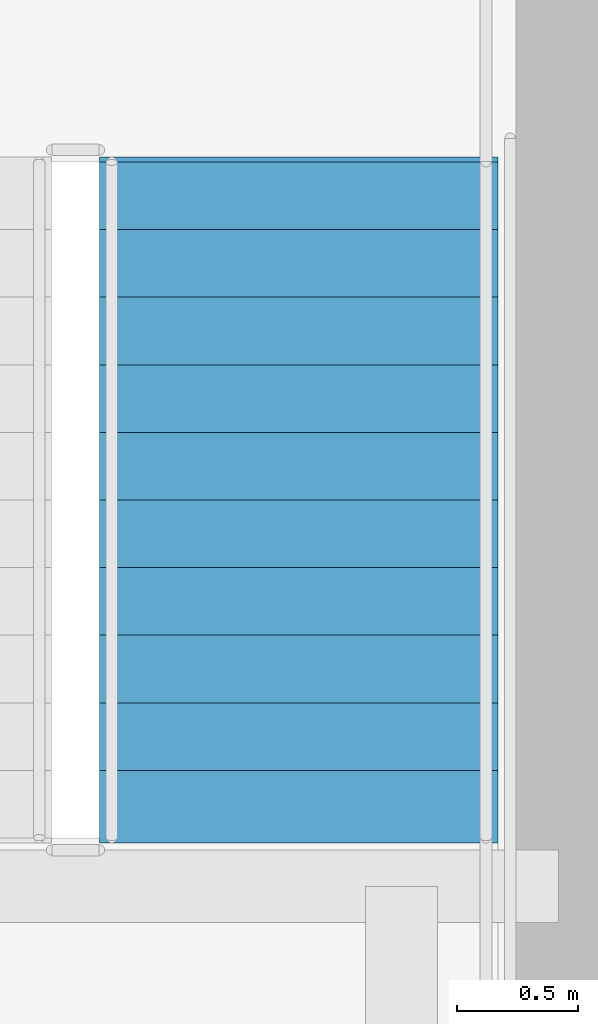
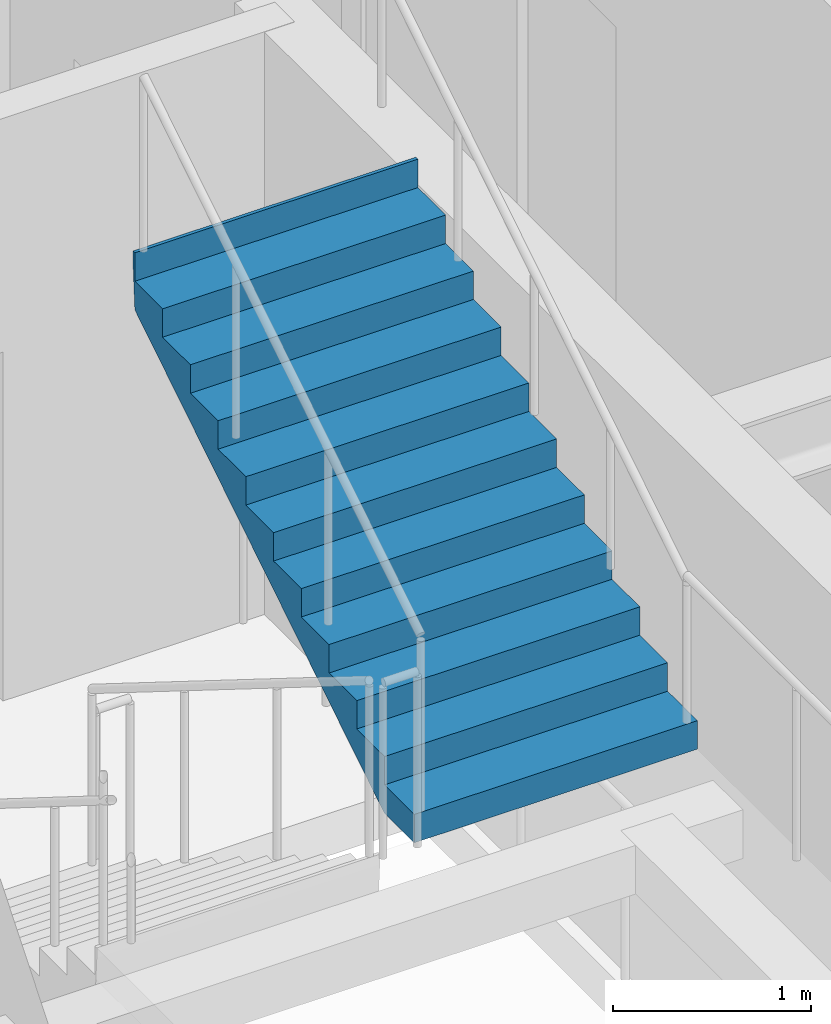
# One storey, part 34 of 40: 1 stair flight, 1 element without a shape of its own.
"""IFC4 building model written with IfcOpenShell, lengths in metres."""

import ifcopenshell
import ifcopenshell.guid

model = None  # the IFC model being written
_history = None  # IfcOwnerHistory: only IFC2X3 demands one
_inside = {}  # id of a spatial element -> (the spatial element, [elements in it])
_under = {}  # id of a project, library or spatial element -> (it, [spatial elements below it])
_declared = {}  # id of a project -> (the project, [libraries it declares])
_typed = {}  # id of a type object -> (the type object, [elements of that type])
_made_of = {}  # id of a material, layer set ... -> (it, [elements and type objects made of it])


def new_model(schema):
    """Start an empty IFC model of exactly this schema.

    Asked for "IFC4X3", IfcOpenShell would pick the latest addendum, in which some entities
    have other attributes; the version numbers below select the first issue.
    IFC2X3 requires an IfcOwnerHistory on every rooted entity: one is made here for all.
    """
    global model, _history
    if schema == "IFC4X3":
        model = ifcopenshell.file(schema_version=(4, 3, 0, 0))
    else:
        model = ifcopenshell.file(schema=schema)
    _inside.clear()
    _under.clear()
    _declared.clear()
    _typed.clear()
    _made_of.clear()
    _history = None
    if model.schema == "IFC2X3":
        org = make("IfcOrganization", Name="unknown")
        user = make(
            "IfcPersonAndOrganization",
            ThePerson=make("IfcPerson", FamilyName="unknown"),
            TheOrganization=org,
        )
        app = make(
            "IfcApplication",
            ApplicationDeveloper=org,
            Version="unknown",
            ApplicationFullName="unknown",
            ApplicationIdentifier="unknown",
        )
        _history = make(
            "IfcOwnerHistory",
            OwningUser=user,
            OwningApplication=app,
            ChangeAction="ADDED",
            CreationDate=0,
        )
    return model


def make(cls, **values):
    """One entity of the class cls with the attributes given. An attribute that is None is left unset."""
    return model.create_entity(
        cls, **{name: value for name, value in values.items() if value is not None}
    )


def rooted(cls, **values):
    """An entity with a GlobalId (a new one), such as an element, a storey or a relation."""
    return make(cls, GlobalId=ifcopenshell.guid.new(), OwnerHistory=_history, **values)


def si_unit(unit_type, name, prefix=None):
    """IfcSIUnit, for example si_unit("LENGTHUNIT", "METRE", prefix="MILLI")."""
    return make("IfcSIUnit", UnitType=unit_type, Prefix=prefix, Name=name)


def assignment(units):
    """IfcUnitAssignment: the units of a project."""
    return None if units is None else make("IfcUnitAssignment", Units=units)


def point(xyz):
    """IfcCartesianPoint."""
    return None if xyz is None else make("IfcCartesianPoint", Coordinates=xyz)


def direction(xyz):
    """IfcDirection."""
    return None if xyz is None else make("IfcDirection", DirectionRatios=xyz)


def frame(location, z_axis=None, x_axis=None):
    """IfcAxis2Placement3D, a coordinate frame: its origin and axes. An axis left out is left unset."""
    return make(
        "IfcAxis2Placement3D",
        Location=point(location),
        Axis=direction(z_axis),
        RefDirection=direction(x_axis),
    )


def origin():
    """The frame at (0, 0, 0) with its axes left unset."""
    return frame((0.0, 0.0, 0.0))


def place(relative_to, where):
    """IfcLocalPlacement: puts the frame where relative to a parent placement (None: the world)."""
    return make(
        "IfcLocalPlacement", PlacementRelTo=relative_to, RelativePlacement=where
    )


def context(
    kind, dimensions, precision=None, world=None, true_north=None, identifier=None
):
    """IfcGeometricRepresentationContext, for example the 3D "Model" context."""
    return make(
        "IfcGeometricRepresentationContext",
        ContextIdentifier=identifier,
        ContextType=kind,
        CoordinateSpaceDimension=dimensions,
        Precision=precision,
        WorldCoordinateSystem=world,
        TrueNorth=true_north,
    )


def subcontext(parent, identifier, kind, view, scale=None):
    """IfcGeometricRepresentationSubContext, for example "Body" below "Model"."""
    return make(
        "IfcGeometricRepresentationSubContext",
        ContextIdentifier=identifier,
        ContextType=kind,
        ParentContext=parent,
        TargetScale=scale,
        TargetView=view,
    )


def project(units=None, contexts=None):
    """IfcProject with its units and contexts."""
    return rooted(
        "IfcProject",
        Name="project",
        RepresentationContexts=contexts,
        UnitsInContext=assignment(units),
    )


def spatial(cls, under=None, at=None, **own):
    """A site, building, storey or space (cls), placed at a placement, below another one or the project."""
    s = rooted(cls, ObjectPlacement=at, **own)
    if under is not None:
        _under.setdefault(under.id(), (under, []))[1].append(s)
    return s


def point_list(points):
    """IfcCartesianPointList2D or 3D."""
    cls = (
        "IfcCartesianPointList2D" if len(points[0]) == 2 else "IfcCartesianPointList3D"
    )
    return make(cls, CoordList=points)


def polygons(points, faces, closed=None, point_numbers=None):
    """IfcPolygonalFaceSet: a face is its outer loop, then its inner loops; points numbered from 1."""
    made = []
    for loops in faces:
        if len(loops) == 1:
            made.append(make("IfcIndexedPolygonalFace", CoordIndex=loops[0]))
        else:
            made.append(
                make(
                    "IfcIndexedPolygonalFaceWithVoids",
                    CoordIndex=loops[0],
                    InnerCoordIndices=loops[1:],
                )
            )
    return make(
        "IfcPolygonalFaceSet",
        Coordinates=point_list(points),
        Closed=closed,
        Faces=made,
        PnIndex=point_numbers,
    )


def shape(context_of_items, identifier, shape_type, items):
    """IfcShapeRepresentation: the items that make up one representation, for example the "Body"."""
    return make(
        "IfcShapeRepresentation",
        ContextOfItems=context_of_items,
        RepresentationIdentifier=identifier,
        RepresentationType=shape_type,
        Items=items,
    )


def material(Name=None, Category=None):
    """IfcMaterial."""
    return make("IfcMaterial", Name=Name, Category=Category)


def made_of(thing, what):
    """Note that an element or type object is made of a material, layer set ...; save() writes the relation."""
    if what is not None:
        _made_of.setdefault(what.id(), (what, []))[1].append(thing)
    return thing


def type_object(cls, material=None, **own):
    """A type object (cls), such as IfcWallType, which elements share."""
    return made_of(rooted(cls, **own), material)


def element(
    cls,
    number,
    at=None,
    inside=None,
    cuts=None,
    type_object=None,
    material=None,
    context=None,
    identifier="Body",
    shape_type=None,
    held_by="IfcProductDefinitionShape",
    body=None,
    shapes=None,
    **own,
):
    """One element of the class cls, such as IfcWall. Its Tag is "e" and its number.

    at: its placement. inside: the storey or other place that contains it. cuts: it is an
    opening in that element (IfcRelVoidsElement). A single representation is given by context,
    identifier, shape_type and body (its items); several are given by shapes. held_by: the class
    of the entity that holds the representations. save() writes the other relations.
    """
    e = rooted(cls, Tag="e%d" % number, ObjectPlacement=at, **own)
    if body is not None:
        shapes = [shape(context, identifier, shape_type, body)]
    if shapes is not None:
        e.Representation = make(held_by, Representations=shapes)
    if inside is not None:
        _inside.setdefault(inside.id(), (inside, []))[1].append(e)
    if cuts is not None:
        rooted(
            "IfcRelVoidsElement", RelatingBuildingElement=cuts, RelatedOpeningElement=e
        )
    if type_object is not None:
        _typed.setdefault(type_object.id(), (type_object, []))[1].append(e)
    return made_of(e, material)


def aggregate(whole, parts):
    """IfcRelAggregates: a whole, such as a stair, and the parts it consists of."""
    return rooted("IfcRelAggregates", RelatingObject=whole, RelatedObjects=parts)


def save(model, path):
    """Write the relations noted so far, then the file.

    IfcRelAggregates (storeys below a building ...), IfcRelContainedInSpatialStructure (elements
    in a storey), IfcRelDefinesByType, IfcRelAssociatesMaterial and IfcRelDeclares: one each for
    every whole, place, type object, material and project.
    """
    for whole, parts in _under.values():
        aggregate(whole, parts)
    for where, things in _inside.values():
        rooted(
            "IfcRelContainedInSpatialStructure",
            RelatedElements=things,
            RelatingStructure=where,
        )
    for kind, things in _typed.values():
        rooted("IfcRelDefinesByType", RelatedObjects=things, RelatingType=kind)
    for what, things in _made_of.values():
        rooted("IfcRelAssociatesMaterial", RelatedObjects=things, RelatingMaterial=what)
    for by, libraries in _declared.values():
        rooted("IfcRelDeclares", RelatingContext=by, RelatedDefinitions=libraries)
    model.write(path)


model = new_model("IFC4")

# Units and contexts
model_context = context("Model", 3, precision=1e-05, world=origin(), true_north=direction((0.0, 1.0)))
body_context = subcontext(model_context, "Body", "Model", "MODEL_VIEW")
ifc_project = project(units=[si_unit("LENGTHUNIT", "METRE"), si_unit("AREAUNIT", "SQUARE_METRE"), si_unit("VOLUMEUNIT", "CUBIC_METRE"), si_unit("PLANEANGLEUNIT", "RADIAN"), si_unit("MASSUNIT", "GRAM", prefix="KILO")], contexts=[model_context])

# Site, building, storey
site_placement = place(None, origin())
site = spatial("IfcSite", under=ifc_project, at=site_placement, CompositionType="ELEMENT")
building_placement = place(site_placement, origin())
building = spatial("IfcBuilding", under=site, at=building_placement, Name="Serunith Strait Residences", CompositionType="ELEMENT")
storey_placement = place(building_placement, frame((0.0, 0.0, 252.800048828125)))
storey = spatial("IfcBuildingStorey", under=building, at=storey_placement, Name="L63", CompositionType="ELEMENT", Elevation=252.800048828125)

# Stair, stair flight
ifc_material = material(Name="Concrete C50/60", Category="concrete")
stair_type = type_object("IfcStairType", Name="STR-CORE-2", PredefinedType="HALF_TURN_STAIR", material=ifc_material)
stair_placement = place(storey_placement, origin())
stair = element("IfcStair", 1, at=stair_placement, inside=storey, type_object=stair_type, Name="L63 Protected Escape Stair ST-2", PredefinedType="HALF_TURN_STAIR")
stair_flight_type = type_object("IfcStairFlightType", Name="FLT-CORE-2", PredefinedType="STRAIGHT", material=ifc_material)
stair_flight_placement = place(storey_placement, frame((40.324951171875, 20.570068359375, 1.925048828125), z_axis=(0.0, 0.0, 1.0), x_axis=(0.0, 1.0, 0.0)))
stair_flight = element("IfcStairFlight", 2, at=stair_flight_placement, type_object=stair_flight_type, Name="ST-2 flight 2", NumberOfRisers=11, NumberOfTreads=10, PredefinedType="STRAIGHT", RiserHeight=0.175, TreadLength=0.28, context=body_context, shape_type="Tessellation", body=[
    polygons([(-0.02001953125, -0.824951171875, 0.0), (-0.02001953125, -0.824951171875, 0.175048828125), (0.280029296875, -0.824951171875, 0.175048828125), (0.280029296875, -0.824951171875, 0.35009765625), (0.56005859375, -0.824951171875, 0.35009765625), (0.56005859375, -0.824951171875, 0.52490234375), (0.840087890625, -0.824951171875, 0.52490234375), (0.840087890625, -0.824951171875, 0.699951171875), (1.1201171875, -0.824951171875, 0.699951171875), (1.1201171875, -0.824951171875, 0.875), (1.39990234375, -0.824951171875, 0.875), (1.39990234375, -0.824951171875, 1.050048828125), (1.679931640625, -0.824951171875, 1.050048828125), (1.679931640625, -0.824951171875, 1.22509765625), (1.9599609375, -0.824951171875, 1.22509765625), (1.9599609375, -0.824951171875, 1.39990234375), (2.239990234375, -0.824951171875, 1.39990234375), (2.239990234375, -0.824951171875, 1.574951171875), (2.52001953125, -0.824951171875, 1.574951171875), (2.52001953125, -0.824951171875, 1.75), (2.800048828125, -0.824951171875, 1.75), (2.800048828125, -0.824951171875, 1.925048828125), (2.820068359375, -0.824951171875, 1.925048828125), (2.820068359375, -0.824951171875, 1.864990234375), (2.800048828125, -0.824951171875, 1.5732421875), (0.28271484375, -0.824951171875, 0.0), (-0.02001953125, -0.41259765625, 0.0), (-0.02001953125, -0.41259765625, 0.175048828125), (0.280029296875, -0.41259765625, 0.175048828125), (0.280029296875, -0.41259765625, 0.35009765625), (0.56005859375, -0.41259765625, 0.35009765625), (0.56005859375, -0.41259765625, 0.52490234375), (0.840087890625, -0.41259765625, 0.52490234375), (0.840087890625, -0.41259765625, 0.699951171875), (1.1201171875, -0.41259765625, 0.699951171875), (1.1201171875, -0.41259765625, 0.875), (1.39990234375, -0.41259765625, 0.875), (1.39990234375, -0.41259765625, 1.050048828125), (1.679931640625, -0.41259765625, 1.050048828125), (1.679931640625, -0.41259765625, 1.22509765625), (1.9599609375, -0.41259765625, 1.22509765625), (1.9599609375, -0.41259765625, 1.39990234375), (2.239990234375, -0.41259765625, 1.39990234375), (2.239990234375, -0.41259765625, 1.574951171875), (2.52001953125, -0.41259765625, 1.574951171875), (2.52001953125, -0.41259765625, 1.75), (2.800048828125, -0.41259765625, 1.75), (2.800048828125, -0.41259765625, 1.925048828125), (2.820068359375, -0.41259765625, 1.925048828125), (2.820068359375, -0.41259765625, 1.864990234375), (2.800048828125, -0.41259765625, 1.5732421875), (0.28271484375, -0.41259765625, 0.0), (-0.02001953125, 0.0, 0.0), (-0.02001953125, 0.0, 0.175048828125), (0.280029296875, 0.0, 0.175048828125), (0.280029296875, 0.0, 0.35009765625), (0.56005859375, 0.0, 0.35009765625), (0.56005859375, 0.0, 0.52490234375), (0.840087890625, 0.0, 0.52490234375), (0.840087890625, 0.0, 0.699951171875), (1.1201171875, 0.0, 0.699951171875), (1.1201171875, 0.0, 0.875), (1.39990234375, 0.0, 0.875), (1.39990234375, 0.0, 1.050048828125), (1.679931640625, 0.0, 1.050048828125), (1.679931640625, 0.0, 1.22509765625), (1.9599609375, 0.0, 1.22509765625), (1.9599609375, 0.0, 1.39990234375), (2.239990234375, 0.0, 1.39990234375), (2.239990234375, 0.0, 1.574951171875), (2.52001953125, 0.0, 1.574951171875), (2.52001953125, 0.0, 1.75), (2.800048828125, 0.0, 1.75), (2.800048828125, 0.0, 1.925048828125), (2.820068359375, 0.0, 1.925048828125), (2.820068359375, 0.0, 1.864990234375), (2.800048828125, 0.0, 1.5732421875), (0.28271484375, 0.0, 0.0), (-0.02001953125, 0.41259765625, 0.0), (-0.02001953125, 0.41259765625, 0.175048828125), (0.280029296875, 0.41259765625, 0.175048828125), (0.280029296875, 0.41259765625, 0.35009765625), (0.56005859375, 0.41259765625, 0.35009765625), (0.56005859375, 0.41259765625, 0.52490234375), (0.840087890625, 0.41259765625, 0.52490234375), (0.840087890625, 0.41259765625, 0.699951171875), (1.1201171875, 0.41259765625, 0.699951171875), (1.1201171875, 0.41259765625, 0.875), (1.39990234375, 0.41259765625, 0.875), (1.39990234375, 0.41259765625, 1.050048828125), (1.679931640625, 0.41259765625, 1.050048828125), (1.679931640625, 0.41259765625, 1.22509765625), (1.9599609375, 0.41259765625, 1.22509765625), (1.9599609375, 0.41259765625, 1.39990234375), (2.239990234375, 0.41259765625, 1.39990234375), (2.239990234375, 0.41259765625, 1.574951171875), (2.52001953125, 0.41259765625, 1.574951171875), (2.52001953125, 0.41259765625, 1.75), (2.800048828125, 0.41259765625, 1.75), (2.800048828125, 0.41259765625, 1.925048828125), (2.820068359375, 0.41259765625, 1.925048828125), (2.820068359375, 0.41259765625, 1.864990234375), (2.800048828125, 0.41259765625, 1.5732421875), (0.28271484375, 0.41259765625, 0.0), (-0.02001953125, 0.824951171875, 0.0), (-0.02001953125, 0.824951171875, 0.175048828125), (0.280029296875, 0.824951171875, 0.175048828125), (0.280029296875, 0.824951171875, 0.35009765625), (0.56005859375, 0.824951171875, 0.35009765625), (0.56005859375, 0.824951171875, 0.52490234375), (0.840087890625, 0.824951171875, 0.52490234375), (0.840087890625, 0.824951171875, 0.699951171875), (1.1201171875, 0.824951171875, 0.699951171875), (1.1201171875, 0.824951171875, 0.875), (1.39990234375, 0.824951171875, 0.875), (1.39990234375, 0.824951171875, 1.050048828125), (1.679931640625, 0.824951171875, 1.050048828125), (1.679931640625, 0.824951171875, 1.22509765625), (1.9599609375, 0.824951171875, 1.22509765625), (1.9599609375, 0.824951171875, 1.39990234375), (2.239990234375, 0.824951171875, 1.39990234375), (2.239990234375, 0.824951171875, 1.574951171875), (2.52001953125, 0.824951171875, 1.574951171875), (2.52001953125, 0.824951171875, 1.75), (2.800048828125, 0.824951171875, 1.75), (2.800048828125, 0.824951171875, 1.925048828125), (2.820068359375, 0.824951171875, 1.925048828125), (2.820068359375, 0.824951171875, 1.864990234375), (2.800048828125, 0.824951171875, 1.5732421875), (0.28271484375, 0.824951171875, 0.0)], [[[1, 2, 28, 27]], [[2, 3, 29, 28]], [[3, 4, 30, 29]], [[4, 5, 31, 30]], [[5, 6, 32, 31]], [[6, 7, 33, 32]], [[7, 8, 34, 33]], [[8, 9, 35, 34]], [[9, 10, 36, 35]], [[10, 11, 37, 36]], [[11, 12, 38, 37]], [[12, 13, 39, 38]], [[13, 14, 40, 39]], [[14, 15, 41, 40]], [[15, 16, 42, 41]], [[16, 17, 43, 42]], [[17, 18, 44, 43]], [[18, 19, 45, 44]], [[19, 20, 46, 45]], [[20, 21, 47, 46]], [[21, 22, 48, 47]], [[22, 23, 49, 48]], [[23, 24, 50, 49]], [[24, 25, 51, 50]], [[25, 26, 52, 51]], [[26, 1, 27, 52]], [[27, 28, 54, 53]], [[28, 29, 55, 54]], [[29, 30, 56, 55]], [[30, 31, 57, 56]], [[31, 32, 58, 57]], [[32, 33, 59, 58]], [[33, 34, 60, 59]], [[34, 35, 61, 60]], [[35, 36, 62, 61]], [[36, 37, 63, 62]], [[37, 38, 64, 63]], [[38, 39, 65, 64]], [[39, 40, 66, 65]], [[40, 41, 67, 66]], [[41, 42, 68, 67]], [[42, 43, 69, 68]], [[43, 44, 70, 69]], [[44, 45, 71, 70]], [[45, 46, 72, 71]], [[46, 47, 73, 72]], [[47, 48, 74, 73]], [[48, 49, 75, 74]], [[49, 50, 76, 75]], [[50, 51, 77, 76]], [[51, 52, 78, 77]], [[52, 27, 53, 78]], [[53, 54, 80, 79]], [[54, 55, 81, 80]], [[55, 56, 82, 81]], [[56, 57, 83, 82]], [[57, 58, 84, 83]], [[58, 59, 85, 84]], [[59, 60, 86, 85]], [[60, 61, 87, 86]], [[61, 62, 88, 87]], [[62, 63, 89, 88]], [[63, 64, 90, 89]], [[64, 65, 91, 90]], [[65, 66, 92, 91]], [[66, 67, 93, 92]], [[67, 68, 94, 93]], [[68, 69, 95, 94]], [[69, 70, 96, 95]], [[70, 71, 97, 96]], [[71, 72, 98, 97]], [[72, 73, 99, 98]], [[73, 74, 100, 99]], [[74, 75, 101, 100]], [[75, 76, 102, 101]], [[76, 77, 103, 102]], [[77, 78, 104, 103]], [[78, 53, 79, 104]], [[79, 80, 106, 105]], [[80, 81, 107, 106]], [[81, 82, 108, 107]], [[82, 83, 109, 108]], [[83, 84, 110, 109]], [[84, 85, 111, 110]], [[85, 86, 112, 111]], [[86, 87, 113, 112]], [[87, 88, 114, 113]], [[88, 89, 115, 114]], [[89, 90, 116, 115]], [[90, 91, 117, 116]], [[91, 92, 118, 117]], [[92, 93, 119, 118]], [[93, 94, 120, 119]], [[94, 95, 121, 120]], [[95, 96, 122, 121]], [[96, 97, 123, 122]], [[97, 98, 124, 123]], [[98, 99, 125, 124]], [[99, 100, 126, 125]], [[100, 101, 127, 126]], [[101, 102, 128, 127]], [[102, 103, 129, 128]], [[103, 104, 130, 129]], [[104, 79, 105, 130]], [[26, 25, 24, 23, 22, 21, 20, 19, 18, 17, 16, 15, 14, 13, 12, 11, 10, 9, 8, 7, 6, 5, 4, 3, 2, 1]], [[105, 106, 107, 108, 109, 110, 111, 112, 113, 114, 115, 116, 117, 118, 119, 120, 121, 122, 123, 124, 125, 126, 127, 128, 129, 130]]], closed=True),
])
aggregate(stair, [stair_flight])

save(model, "model.ifc")
